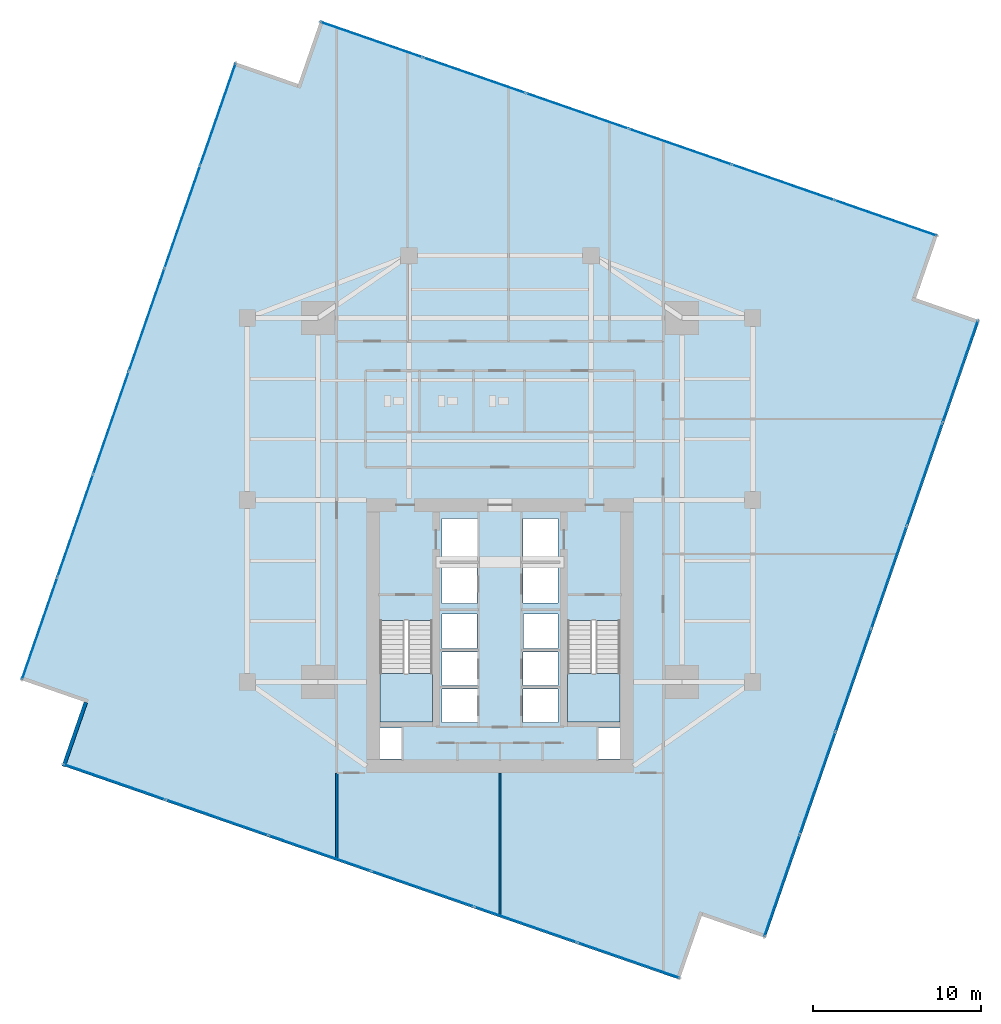
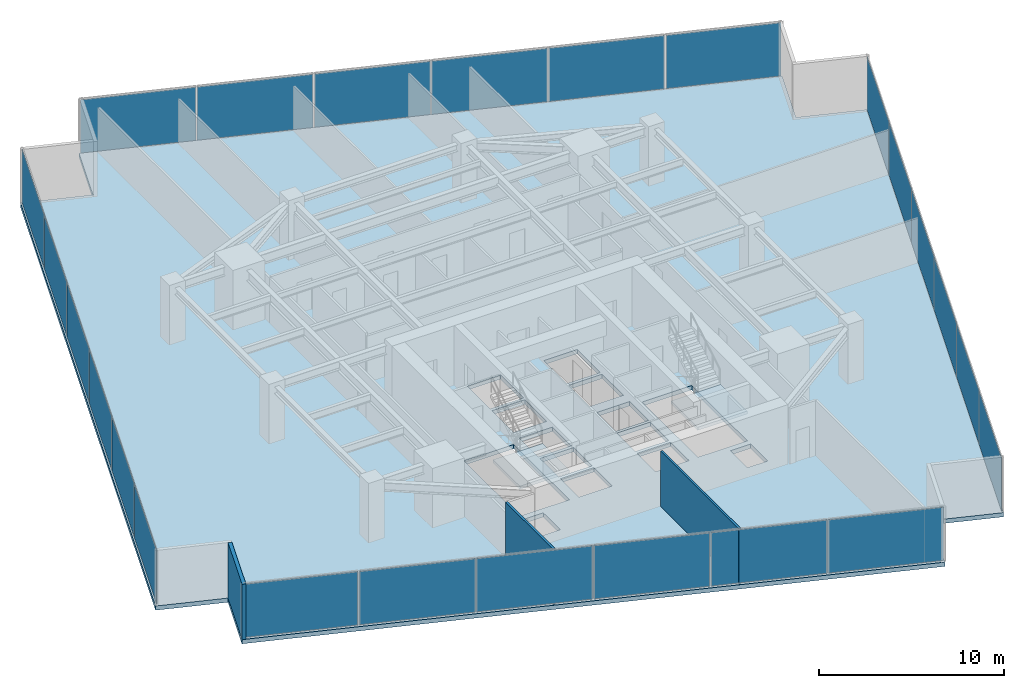
# One storey, part 22 of 27: 24 plates, 3 slabs, 3 walls, 6 elements without a shape of their own.
"""IFC4 building model written with IfcOpenShell, lengths in metres."""

import ifcopenshell
import ifcopenshell.guid

model = None  # the IFC model being written
_history = None  # IfcOwnerHistory: only IFC2X3 demands one
_inside = {}  # id of a spatial element -> (the spatial element, [elements in it])
_under = {}  # id of a project, library or spatial element -> (it, [spatial elements below it])
_declared = {}  # id of a project -> (the project, [libraries it declares])
_typed = {}  # id of a type object -> (the type object, [elements of that type])
_made_of = {}  # id of a material, layer set ... -> (it, [elements and type objects made of it])


def new_model(schema):
    """Start an empty IFC model of exactly this schema.

    Asked for "IFC4X3", IfcOpenShell would pick the latest addendum, in which some entities
    have other attributes; the version numbers below select the first issue.
    IFC2X3 requires an IfcOwnerHistory on every rooted entity: one is made here for all.
    """
    global model, _history
    if schema == "IFC4X3":
        model = ifcopenshell.file(schema_version=(4, 3, 0, 0))
    else:
        model = ifcopenshell.file(schema=schema)
    _inside.clear()
    _under.clear()
    _declared.clear()
    _typed.clear()
    _made_of.clear()
    _history = None
    if model.schema == "IFC2X3":
        org = make("IfcOrganization", Name="unknown")
        user = make(
            "IfcPersonAndOrganization",
            ThePerson=make("IfcPerson", FamilyName="unknown"),
            TheOrganization=org,
        )
        app = make(
            "IfcApplication",
            ApplicationDeveloper=org,
            Version="unknown",
            ApplicationFullName="unknown",
            ApplicationIdentifier="unknown",
        )
        _history = make(
            "IfcOwnerHistory",
            OwningUser=user,
            OwningApplication=app,
            ChangeAction="ADDED",
            CreationDate=0,
        )
    return model


def make(cls, **values):
    """One entity of the class cls with the attributes given. An attribute that is None is left unset."""
    return model.create_entity(
        cls, **{name: value for name, value in values.items() if value is not None}
    )


def rooted(cls, **values):
    """An entity with a GlobalId (a new one), such as an element, a storey or a relation."""
    return make(cls, GlobalId=ifcopenshell.guid.new(), OwnerHistory=_history, **values)


def si_unit(unit_type, name, prefix=None):
    """IfcSIUnit, for example si_unit("LENGTHUNIT", "METRE", prefix="MILLI")."""
    return make("IfcSIUnit", UnitType=unit_type, Prefix=prefix, Name=name)


def assignment(units):
    """IfcUnitAssignment: the units of a project."""
    return None if units is None else make("IfcUnitAssignment", Units=units)


def point(xyz):
    """IfcCartesianPoint."""
    return None if xyz is None else make("IfcCartesianPoint", Coordinates=xyz)


def direction(xyz):
    """IfcDirection."""
    return None if xyz is None else make("IfcDirection", DirectionRatios=xyz)


def frame(location, z_axis=None, x_axis=None):
    """IfcAxis2Placement3D, a coordinate frame: its origin and axes. An axis left out is left unset."""
    return make(
        "IfcAxis2Placement3D",
        Location=point(location),
        Axis=direction(z_axis),
        RefDirection=direction(x_axis),
    )


def frame_2d(location, x_axis=None):
    """IfcAxis2Placement2D, a coordinate frame in the plane: its origin and x axis."""
    return make(
        "IfcAxis2Placement2D", Location=point(location), RefDirection=direction(x_axis)
    )


def origin():
    """The frame at (0, 0, 0) with its axes left unset."""
    return frame((0.0, 0.0, 0.0))


def origin_2d():
    """The frame at (0, 0) in the plane with its x axis left unset."""
    return frame_2d((0.0, 0.0))


def place(relative_to, where):
    """IfcLocalPlacement: puts the frame where relative to a parent placement (None: the world)."""
    return make(
        "IfcLocalPlacement", PlacementRelTo=relative_to, RelativePlacement=where
    )


def context(
    kind, dimensions, precision=None, world=None, true_north=None, identifier=None
):
    """IfcGeometricRepresentationContext, for example the 3D "Model" context."""
    return make(
        "IfcGeometricRepresentationContext",
        ContextIdentifier=identifier,
        ContextType=kind,
        CoordinateSpaceDimension=dimensions,
        Precision=precision,
        WorldCoordinateSystem=world,
        TrueNorth=true_north,
    )


def subcontext(parent, identifier, kind, view, scale=None):
    """IfcGeometricRepresentationSubContext, for example "Body" below "Model"."""
    return make(
        "IfcGeometricRepresentationSubContext",
        ContextIdentifier=identifier,
        ContextType=kind,
        ParentContext=parent,
        TargetScale=scale,
        TargetView=view,
    )


def project(units=None, contexts=None):
    """IfcProject with its units and contexts."""
    return rooted(
        "IfcProject",
        Name="project",
        RepresentationContexts=contexts,
        UnitsInContext=assignment(units),
    )


def spatial(cls, under=None, at=None, **own):
    """A site, building, storey or space (cls), placed at a placement, below another one or the project."""
    s = rooted(cls, ObjectPlacement=at, **own)
    if under is not None:
        _under.setdefault(under.id(), (under, []))[1].append(s)
    return s


def polyline(points):
    """IfcPolyline through the points."""
    return make("IfcPolyline", Points=[point(p) for p in points])


def profile(cls, at=None, kind="AREA", **sizes):
    """A parametric profile (cls). Its sizes go by their IFC names, for example OverallWidth=200.0."""
    return make(cls, ProfileType=kind, Position=at, **sizes)


def rectangle(**sizes):
    """IfcRectangleProfileDef."""
    return profile("IfcRectangleProfileDef", **sizes)


def outline(outer, holes=None, kind="AREA"):
    """IfcArbitraryClosedProfileDef: a profile drawn as a closed curve; with holes, ...WithVoids."""
    if holes is None:
        return make("IfcArbitraryClosedProfileDef", ProfileType=kind, OuterCurve=outer)
    return make(
        "IfcArbitraryProfileDefWithVoids",
        ProfileType=kind,
        OuterCurve=outer,
        InnerCurves=holes,
    )


def extrude(swept, where, along, depth):
    """IfcExtrudedAreaSolid: the profile swept, set in the frame where, extruded along a direction by depth."""
    return make(
        "IfcExtrudedAreaSolid",
        SweptArea=swept,
        Position=where,
        ExtrudedDirection=direction(along),
        Depth=depth,
    )


def shape(context_of_items, identifier, shape_type, items):
    """IfcShapeRepresentation: the items that make up one representation, for example the "Body"."""
    return make(
        "IfcShapeRepresentation",
        ContextOfItems=context_of_items,
        RepresentationIdentifier=identifier,
        RepresentationType=shape_type,
        Items=items,
    )


def source(mapping_origin, context_of_items, identifier, shape_type, items):
    """IfcRepresentationMap: a shape defined once, which mapped items show again and again."""
    return make(
        "IfcRepresentationMap",
        MappingOrigin=mapping_origin,
        MappedRepresentation=shape(context_of_items, identifier, shape_type, items),
    )


def transform(
    local_origin,
    x_axis=None,
    y_axis=None,
    z_axis=None,
    scale=None,
    scale2=None,
    scale3=None,
    uniform=True,
):
    """IfcCartesianTransformationOperator3D, or its non-uniform kind. x_axis, y_axis, z_axis: its Axis1, 2, 3."""
    if uniform:
        return make(
            "IfcCartesianTransformationOperator3D",
            Axis1=direction(x_axis),
            Axis2=direction(y_axis),
            LocalOrigin=point(local_origin),
            Scale=scale,
            Axis3=direction(z_axis),
        )
    return make(
        "IfcCartesianTransformationOperator3DnonUniform",
        Axis1=direction(x_axis),
        Axis2=direction(y_axis),
        LocalOrigin=point(local_origin),
        Scale=scale,
        Axis3=direction(z_axis),
        Scale2=scale2,
        Scale3=scale3,
    )


def mapped(mapping_source, mapping_target):
    """IfcMappedItem: shows the shape of a source again, moved by a transform."""
    return make(
        "IfcMappedItem", MappingSource=mapping_source, MappingTarget=mapping_target
    )


def material(Name=None, Category=None):
    """IfcMaterial."""
    return make("IfcMaterial", Name=Name, Category=Category)


def layer(
    of_material, thickness, ventilated=None, Name=None, Category=None, Priority=None
):
    """IfcMaterialLayer: one layer of a wall or slab, of a material (None: an air gap)."""
    return make(
        "IfcMaterialLayer",
        Material=of_material,
        LayerThickness=thickness,
        IsVentilated=ventilated,
        Name=Name,
        Category=Category,
        Priority=Priority,
    )


def layer_set(layers, Name=None):
    """IfcMaterialLayerSet."""
    return make("IfcMaterialLayerSet", MaterialLayers=layers, LayerSetName=Name)


def made_of(thing, what):
    """Note that an element or type object is made of a material, layer set ...; save() writes the relation."""
    if what is not None:
        _made_of.setdefault(what.id(), (what, []))[1].append(thing)
    return thing


def type_object(cls, material=None, **own):
    """A type object (cls), such as IfcWallType, which elements share."""
    return made_of(rooted(cls, **own), material)


def type_shapes(of_type, sources):
    """Give a type object the sources (RepresentationMaps) that its elements show as mapped items."""
    of_type.RepresentationMaps = sources


def element(
    cls,
    number,
    at=None,
    inside=None,
    cuts=None,
    type_object=None,
    material=None,
    context=None,
    identifier="Body",
    shape_type=None,
    held_by="IfcProductDefinitionShape",
    body=None,
    shapes=None,
    **own,
):
    """One element of the class cls, such as IfcWall. Its Tag is "e" and its number.

    at: its placement. inside: the storey or other place that contains it. cuts: it is an
    opening in that element (IfcRelVoidsElement). A single representation is given by context,
    identifier, shape_type and body (its items); several are given by shapes. held_by: the class
    of the entity that holds the representations. save() writes the other relations.
    """
    e = rooted(cls, Tag="e%d" % number, ObjectPlacement=at, **own)
    if body is not None:
        shapes = [shape(context, identifier, shape_type, body)]
    if shapes is not None:
        e.Representation = make(held_by, Representations=shapes)
    if inside is not None:
        _inside.setdefault(inside.id(), (inside, []))[1].append(e)
    if cuts is not None:
        rooted(
            "IfcRelVoidsElement", RelatingBuildingElement=cuts, RelatedOpeningElement=e
        )
    if type_object is not None:
        _typed.setdefault(type_object.id(), (type_object, []))[1].append(e)
    return made_of(e, material)


def aggregate(whole, parts):
    """IfcRelAggregates: a whole, such as a stair, and the parts it consists of."""
    return rooted("IfcRelAggregates", RelatingObject=whole, RelatedObjects=parts)


def save(model, path):
    """Write the relations noted so far, then the file.

    IfcRelAggregates (storeys below a building ...), IfcRelContainedInSpatialStructure (elements
    in a storey), IfcRelDefinesByType, IfcRelAssociatesMaterial and IfcRelDeclares: one each for
    every whole, place, type object, material and project.
    """
    for whole, parts in _under.values():
        aggregate(whole, parts)
    for where, things in _inside.values():
        rooted(
            "IfcRelContainedInSpatialStructure",
            RelatedElements=things,
            RelatingStructure=where,
        )
    for kind, things in _typed.values():
        rooted("IfcRelDefinesByType", RelatedObjects=things, RelatingType=kind)
    for what, things in _made_of.values():
        rooted("IfcRelAssociatesMaterial", RelatedObjects=things, RelatingMaterial=what)
    for by, libraries in _declared.values():
        rooted("IfcRelDeclares", RelatingContext=by, RelatedDefinitions=libraries)
    model.write(path)


model = new_model("IFC4")

# Units and contexts
model_context = context("Model", 3, precision=1e-05, world=origin(), true_north=direction((0.0, 1.0)))
body_context = subcontext(model_context, "Body", "Model", "MODEL_VIEW")
ifc_project = project(units=[si_unit("LENGTHUNIT", "METRE"), si_unit("AREAUNIT", "SQUARE_METRE"), si_unit("VOLUMEUNIT", "CUBIC_METRE"), si_unit("PLANEANGLEUNIT", "RADIAN"), si_unit("MASSUNIT", "GRAM", prefix="KILO")], contexts=[model_context])

# Site, building, storey
site_placement = place(None, origin())
site = spatial("IfcSite", under=ifc_project, at=site_placement, CompositionType="ELEMENT")
building_placement = place(site_placement, origin())
building = spatial("IfcBuilding", under=site, at=building_placement, Name="Krantzveldt Concourse Tower", CompositionType="ELEMENT")
storey_placement = place(building_placement, frame((0.0, 0.0, 121.64990234375)))
storey = spatial("IfcBuildingStorey", under=building, at=storey_placement, Name="L29", CompositionType="ELEMENT", Elevation=121.64990234375)

# Stair, slab
ifc_material_1 = material(Name="Precast concrete C40/50", Category="concrete")
stair_type = type_object("IfcStairType", Name="STR-CORE-DOGLEG", PredefinedType="HALF_TURN_STAIR", material=ifc_material_1)
stair_1_placement = place(storey_placement, origin())
stair_1 = element("IfcStair", 1, at=stair_1_placement, inside=storey, type_object=stair_type, Name="L29 Protected Escape Stair ST-1", PredefinedType="HALF_TURN_STAIR")
ifc_layer_1 = layer(ifc_material_1, 0.199951171875, Name="Precast concrete C40/50", Category="concrete")
ifc_layer_set_1 = layer_set([ifc_layer_1], Name="Precast concrete C40/50 (SL-LANDING-200)")
slab_type_1 = type_object("IfcSlabType", Name="SL-LANDING-200", PredefinedType="LANDING", material=ifc_layer_set_1)
slab_1_placement = place(storey_placement, frame((0.0, 0.0, 1.775146484375)))
slab_1 = element("IfcSlab", 2, at=slab_1_placement, type_object=slab_type_1, Name="ST-1 landing 1", PredefinedType="LANDING", context=body_context, shape_type="SweptSolid", body=[
    extrude(outline(polyline([(28.8798828125, 16.4150390625), (28.8798828125, 13.52001953125), (31.97998046875, 13.52001953125), (31.97998046875, 16.4150390625), (28.8798828125, 16.4150390625)])), origin(), (0.0, 0.0, 1.0), 0.199951171875),
])
aggregate(stair_1, [slab_1])

stair_2_placement = place(storey_placement, origin())
stair_2 = element("IfcStair", 3, at=stair_2_placement, inside=storey, type_object=stair_type, Name="L29 Protected Escape Stair ST-2", PredefinedType="HALF_TURN_STAIR")
slab_2_placement = place(storey_placement, frame((0.0, 0.0, 1.775146484375)))
slab_2 = element("IfcSlab", 4, at=slab_2_placement, type_object=slab_type_1, Name="ST-2 landing 1", PredefinedType="LANDING", context=body_context, shape_type="SweptSolid", body=[
    extrude(outline(polyline([(40.02001953125, 16.4150390625), (40.02001953125, 13.52001953125), (43.1201171875, 13.52001953125), (43.1201171875, 16.4150390625), (40.02001953125, 16.4150390625)])), origin(), (0.0, 0.0, 1.0), 0.199951171875),
])
aggregate(stair_2, [slab_2])

# Slab
ifc_material_2 = material(Name="Concrete C40/50", Category="concrete")
ifc_layer_2 = layer(ifc_material_2, 0.280029296875, Name="Concrete C40/50", Category="concrete")
ifc_layer_set_2 = layer_set([ifc_layer_2], Name="Concrete C40/50 (SL-SL-TWR280)")
slab_type_2 = type_object("IfcSlabType", Name="SL-SL-TWR280", PredefinedType="FLOOR", material=ifc_layer_set_2)
slab_3_placement = place(storey_placement, frame((0.0, 0.0, -0.27978515625)))
element("IfcSlab", 5, at=slab_3_placement, inside=storey, type_object=slab_type_2, Name="SL-L29-MAIN", PredefinedType="FLOOR", context=body_context, shape_type="SweptSolid", body=[
    extrude(outline(polyline([(24.02685546875, 51.38525390625), (20.24755859375, 52.69580078125), (7.535400390625, 16.037353515625), (11.314697265625, 14.726806640625), (10.004150390625, 10.947509765625), (46.66259765625, -1.764404296875), (47.97314453125, 2.0146484375), (51.75244140625, 0.7041015625), (64.464599609375, 37.36279296875), (60.685302734375, 38.673095703125), (61.995849609375, 42.452392578125), (25.33740234375, 55.16455078125), (24.02685546875, 51.38525390625)]), holes=[polyline([(28.8798828125, 19.547607421875), (28.8798828125, 13.52001953125), (31.97998046875, 13.52001953125), (31.97998046875, 19.547607421875), (28.8798828125, 19.547607421875)]), polyline([(40.02001953125, 19.547607421875), (40.02001953125, 13.52001953125), (43.1201171875, 13.52001953125), (43.1201171875, 19.547607421875), (40.02001953125, 19.547607421875)]), polyline([(32.550048828125, 23.10009765625), (34.64990234375, 23.10009765625), (34.64990234375, 25.60009765625), (32.550048828125, 25.60009765625), (32.550048828125, 23.10009765625)]), polyline([(37.35009765625, 23.10009765625), (39.449951171875, 23.10009765625), (39.449951171875, 25.60009765625), (37.35009765625, 25.60009765625), (37.35009765625, 23.10009765625)]), polyline([(37.35009765625, 20.60009765625), (39.449951171875, 20.60009765625), (39.449951171875, 22.89990234375), (37.35009765625, 22.89990234375), (37.35009765625, 20.60009765625)]), polyline([(32.550048828125, 13.47998046875), (34.64990234375, 13.47998046875), (34.64990234375, 15.47998046875), (32.550048828125, 15.47998046875), (32.550048828125, 13.47998046875)]), polyline([(32.550048828125, 15.679931640625), (34.64990234375, 15.679931640625), (34.64990234375, 17.679931640625), (32.550048828125, 17.679931640625), (32.550048828125, 15.679931640625)]), polyline([(37.35009765625, 13.47998046875), (39.449951171875, 13.47998046875), (39.449951171875, 15.47998046875), (37.35009765625, 15.47998046875), (37.35009765625, 13.47998046875)]), polyline([(37.35009765625, 15.679931640625), (39.449951171875, 15.679931640625), (39.449951171875, 17.679931640625), (37.35009765625, 17.679931640625), (37.35009765625, 15.679931640625)]), polyline([(32.550048828125, 20.550048828125), (34.6201171875, 20.550048828125), (34.6201171875, 22.89990234375), (32.550048828125, 22.89990234375), (32.550048828125, 20.550048828125)]), polyline([(32.550048828125, 17.8798828125), (34.6201171875, 17.8798828125), (34.6201171875, 19.919921875), (32.550048828125, 19.919921875), (32.550048828125, 17.8798828125)]), polyline([(37.3798828125, 17.8798828125), (39.449951171875, 17.8798828125), (39.449951171875, 19.919921875), (37.3798828125, 19.919921875), (37.3798828125, 17.8798828125)]), polyline([(28.8798828125, 11.320068359375), (30.139892578125, 11.320068359375), (30.139892578125, 13.159912109375), (28.8798828125, 13.159912109375), (28.8798828125, 11.320068359375)]), polyline([(41.860107421875, 11.320068359375), (43.1201171875, 11.320068359375), (43.1201171875, 13.159912109375), (41.860107421875, 13.159912109375), (41.860107421875, 11.320068359375)])]), origin(), (0.0, 0.0, 1.0), 0.27978515625),
])

# Curtain wall, plates
ifc_material_3 = material(Name="Anodised aluminium 6063-T6", Category="aluminium")
curtain_wall_type = type_object("IfcCurtainWallType", Name="CW2", PredefinedType="USERDEFINED", material=ifc_material_3)
curtain_wall_1_placement = place(storey_placement, origin())
curtain_wall_1 = element("IfcCurtainWall", 6, at=curtain_wall_1_placement, inside=storey, type_object=curtain_wall_type, Name="CW-L29-F01", ObjectType="UNITISED CURTAIN WALL", PredefinedType="USERDEFINED")
ifc_material_4 = material(Name="Bronze-tinted laminated low-E IGU glass", Category="glass")
ifc_layer_3 = layer(ifc_material_4, 0.031982421875, Name="Bronze-tinted laminated low-E IGU glass", Category="glass")
ifc_layer_set_3 = layer_set([ifc_layer_3], Name="Bronze-tinted laminated low-E IGU glass (CW-GLZ-32)")
plate_type = type_object("IfcPlateType", Name="CW-GLZ-32", PredefinedType="CURTAIN_PANEL", material=ifc_layer_set_3)
shared_shape_1 = source(origin(), body_context, "Body", "SweptSolid", [
    extrude(rectangle(XDim=6.361572265625, YDim=0.031982421875, at=origin_2d()), origin(), (0.0, 0.0, 1.0), 3.530029296875),
])
plate_1_placement = place(storey_placement, frame((19.267578125, 49.594970703125, 0.0703125), z_axis=(0.0, 0.0, 1.0), x_axis=(-0.32763019404, -0.944806041446, 0.0)))
plate_1 = element("IfcPlate", 7, at=plate_1_placement, type_object=plate_type, Name="CW-Z12 panel 1.1", PredefinedType="CURTAIN_PANEL", context=body_context, shape_type="MappedRepresentation", body=[
    mapped(shared_shape_1, transform((0.0, 0.0, 0.0), x_axis=(1.0, 0.0, 0.0), y_axis=(0.0, 1.0, 0.0), z_axis=(0.0, 0.0, 1.0), scale=1.0)),
])
plate_2_placement = place(storey_placement, frame((8.685546875, 19.079345703125, 0.0703125), z_axis=(0.0, 0.0, 1.0), x_axis=(-0.32763019404, -0.944806041446, 0.0)))
plate_2 = element("IfcPlate", 8, at=plate_2_placement, type_object=plate_type, Name="CW-Z12 panel 6.1", PredefinedType="CURTAIN_PANEL", context=body_context, shape_type="MappedRepresentation", body=[
    mapped(shared_shape_1, transform((0.0, 0.0, 0.0), x_axis=(1.0, 0.0, 0.0), y_axis=(0.0, 1.0, 0.0), z_axis=(0.0, 0.0, 1.0), scale=1.0)),
])

curtain_wall_2_placement = place(storey_placement, origin())
curtain_wall_2 = element("IfcCurtainWall", 9, at=curtain_wall_2_placement, inside=storey, type_object=curtain_wall_type, Name="CW-L29-F04", ObjectType="UNITISED CURTAIN WALL", PredefinedType="USERDEFINED")
plate_3_placement = place(storey_placement, frame((13.105224609375, 9.967529296875, 0.0703125), z_axis=(0.0, 0.0, 1.0), x_axis=(0.944806041446, -0.32763019404, 0.0)))
plate_3 = element("IfcPlate", 10, at=plate_3_placement, type_object=plate_type, Name="CW-Z12 panel 1.1", PredefinedType="CURTAIN_PANEL", context=body_context, shape_type="MappedRepresentation", body=[
    mapped(shared_shape_1, transform((0.0, 0.0, 0.0), x_axis=(1.0, 0.0, 0.0), y_axis=(0.0, 1.0, 0.0), z_axis=(0.0, 0.0, 1.0), scale=1.0)),
])
plate_4_placement = place(storey_placement, frame((43.620849609375, -0.614501953125, 0.0703125), z_axis=(0.0, 0.0, 1.0), x_axis=(0.944806041446, -0.32763019404, 0.0)))
plate_4 = element("IfcPlate", 11, at=plate_4_placement, type_object=plate_type, Name="CW-Z12 panel 6.1", PredefinedType="CURTAIN_PANEL", context=body_context, shape_type="MappedRepresentation", body=[
    mapped(shared_shape_1, transform((0.0, 0.0, 0.0), x_axis=(1.0, 0.0, 0.0), y_axis=(0.0, 1.0, 0.0), z_axis=(0.0, 0.0, 1.0), scale=1.0)),
])

curtain_wall_3_placement = place(storey_placement, origin())
curtain_wall_3 = element("IfcCurtainWall", 12, at=curtain_wall_3_placement, inside=storey, type_object=curtain_wall_type, Name="CW-L29-F07", ObjectType="UNITISED CURTAIN WALL", PredefinedType="USERDEFINED")
plate_5_placement = place(storey_placement, frame((52.732421875, 3.80517578125, 0.0703125), z_axis=(0.0, 0.0, 1.0), x_axis=(0.32763019404, 0.944806041446, 0.0)))
plate_5 = element("IfcPlate", 13, at=plate_5_placement, type_object=plate_type, Name="CW-Z12 panel 1.1", PredefinedType="CURTAIN_PANEL", context=body_context, shape_type="MappedRepresentation", body=[
    mapped(shared_shape_1, transform((0.0, 0.0, 0.0), x_axis=(1.0, 0.0, 0.0), y_axis=(0.0, 1.0, 0.0), z_axis=(0.0, 0.0, 1.0), scale=1.0)),
])
plate_6_placement = place(storey_placement, frame((63.314453125, 34.32080078125, 0.0703125), z_axis=(0.0, 0.0, 1.0), x_axis=(0.32763019404, 0.944806041446, 0.0)))
plate_6 = element("IfcPlate", 14, at=plate_6_placement, type_object=plate_type, Name="CW-Z12 panel 6.1", PredefinedType="CURTAIN_PANEL", context=body_context, shape_type="MappedRepresentation", body=[
    mapped(shared_shape_1, transform((0.0, 0.0, 0.0), x_axis=(1.0, 0.0, 0.0), y_axis=(0.0, 1.0, 0.0), z_axis=(0.0, 0.0, 1.0), scale=1.0)),
])

curtain_wall_4_placement = place(storey_placement, origin())
curtain_wall_4 = element("IfcCurtainWall", 15, at=curtain_wall_4_placement, inside=storey, type_object=curtain_wall_type, Name="CW-L29-F10", ObjectType="UNITISED CURTAIN WALL", PredefinedType="USERDEFINED")
plate_7_placement = place(storey_placement, frame((58.894775390625, 43.432373046875, 0.0703125), z_axis=(0.0, 0.0, 1.0), x_axis=(-0.944806041446, 0.32763019404, 0.0)))
plate_7 = element("IfcPlate", 16, at=plate_7_placement, type_object=plate_type, Name="CW-Z12 panel 1.1", PredefinedType="CURTAIN_PANEL", context=body_context, shape_type="MappedRepresentation", body=[
    mapped(shared_shape_1, transform((0.0, 0.0, 0.0), x_axis=(1.0, 0.0, 0.0), y_axis=(0.0, 1.0, 0.0), z_axis=(0.0, 0.0, 1.0), scale=1.0)),
])
plate_8_placement = place(storey_placement, frame((28.379150390625, 54.014404296875, 0.0703125), z_axis=(0.0, 0.0, 1.0), x_axis=(-0.944806041446, 0.32763019404, 0.0)))
plate_8 = element("IfcPlate", 17, at=plate_8_placement, type_object=plate_type, Name="CW-Z12 panel 6.1", PredefinedType="CURTAIN_PANEL", context=body_context, shape_type="MappedRepresentation", body=[
    mapped(shared_shape_1, transform((0.0, 0.0, 0.0), x_axis=(1.0, 0.0, 0.0), y_axis=(0.0, 1.0, 0.0), z_axis=(0.0, 0.0, 1.0), scale=1.0)),
])

# Plate
shared_shape_2 = source(origin(), body_context, "Body", "SweptSolid", [
    extrude(rectangle(XDim=6.396728515625, YDim=0.031982421875, at=origin_2d()), origin(), (0.0, 0.0, 1.0), 3.530029296875),
])
type_shapes(plate_type, [shared_shape_1, shared_shape_2])
plate_9_placement = place(storey_placement, frame((17.154541015625, 43.501708984375, 0.0703125), z_axis=(0.0, 0.0, 1.0), x_axis=(-0.32763019404, -0.944806041446, 0.0)))
plate_9 = element("IfcPlate", 18, at=plate_9_placement, type_object=plate_type, Name="CW-Z12 panel 2.1", PredefinedType="CURTAIN_PANEL", context=body_context, shape_type="MappedRepresentation", body=[
    mapped(shared_shape_2, transform((0.0, 0.0, 0.0), x_axis=(1.0, 0.0, 0.0), y_axis=(0.0, 1.0, 0.0), z_axis=(0.0, 0.0, 1.0), scale=1.0)),
])

plate_10_placement = place(storey_placement, frame((15.035888671875, 37.391845703125, 0.0703125), z_axis=(0.0, 0.0, 1.0), x_axis=(-0.32763019404, -0.944806041446, 0.0)))
plate_10 = element("IfcPlate", 19, at=plate_10_placement, type_object=plate_type, Name="CW-Z12 panel 3.1", PredefinedType="CURTAIN_PANEL", context=body_context, shape_type="MappedRepresentation", body=[
    mapped(shared_shape_2, transform((0.0, 0.0, 0.0), x_axis=(1.0, 0.0, 0.0), y_axis=(0.0, 1.0, 0.0), z_axis=(0.0, 0.0, 1.0), scale=1.0)),
])

plate_11_placement = place(storey_placement, frame((12.917236328125, 31.2822265625, 0.0703125), z_axis=(0.0, 0.0, 1.0), x_axis=(-0.32763019404, -0.944806041446, 0.0)))
plate_11 = element("IfcPlate", 20, at=plate_11_placement, type_object=plate_type, Name="CW-Z12 panel 4.1", PredefinedType="CURTAIN_PANEL", context=body_context, shape_type="MappedRepresentation", body=[
    mapped(shared_shape_2, transform((0.0, 0.0, 0.0), x_axis=(1.0, 0.0, 0.0), y_axis=(0.0, 1.0, 0.0), z_axis=(0.0, 0.0, 1.0), scale=1.0)),
])

plate_12_placement = place(storey_placement, frame((10.798583984375, 25.17236328125, 0.0703125), z_axis=(0.0, 0.0, 1.0), x_axis=(-0.32763019404, -0.944806041446, 0.0)))
plate_12 = element("IfcPlate", 21, at=plate_12_placement, type_object=plate_type, Name="CW-Z12 panel 5.1", PredefinedType="CURTAIN_PANEL", context=body_context, shape_type="MappedRepresentation", body=[
    mapped(shared_shape_2, transform((0.0, 0.0, 0.0), x_axis=(1.0, 0.0, 0.0), y_axis=(0.0, 1.0, 0.0), z_axis=(0.0, 0.0, 1.0), scale=1.0)),
])

aggregate(curtain_wall_1, [plate_1, plate_9, plate_10, plate_11, plate_12, plate_2])

plate_13_placement = place(storey_placement, frame((19.1982421875, 7.8544921875, 0.0703125), z_axis=(0.0, 0.0, 1.0), x_axis=(0.944806041446, -0.32763019404, 0.0)))
plate_13 = element("IfcPlate", 22, at=plate_13_placement, type_object=plate_type, Name="CW-Z12 panel 2.1", PredefinedType="CURTAIN_PANEL", context=body_context, shape_type="MappedRepresentation", body=[
    mapped(shared_shape_2, transform((0.0, 0.0, 0.0), x_axis=(1.0, 0.0, 0.0), y_axis=(0.0, 1.0, 0.0), z_axis=(0.0, 0.0, 1.0), scale=1.0)),
])

plate_14_placement = place(storey_placement, frame((25.30810546875, 5.73583984375, 0.0703125), z_axis=(0.0, 0.0, 1.0), x_axis=(0.944806041446, -0.32763019404, 0.0)))
plate_14 = element("IfcPlate", 23, at=plate_14_placement, type_object=plate_type, Name="CW-Z12 panel 3.1", PredefinedType="CURTAIN_PANEL", context=body_context, shape_type="MappedRepresentation", body=[
    mapped(shared_shape_2, transform((0.0, 0.0, 0.0), x_axis=(1.0, 0.0, 0.0), y_axis=(0.0, 1.0, 0.0), z_axis=(0.0, 0.0, 1.0), scale=1.0)),
])

plate_15_placement = place(storey_placement, frame((31.417724609375, 3.6171875, 0.0703125), z_axis=(0.0, 0.0, 1.0), x_axis=(0.944806041446, -0.32763019404, 0.0)))
plate_15 = element("IfcPlate", 24, at=plate_15_placement, type_object=plate_type, Name="CW-Z12 panel 4.1", PredefinedType="CURTAIN_PANEL", context=body_context, shape_type="MappedRepresentation", body=[
    mapped(shared_shape_2, transform((0.0, 0.0, 0.0), x_axis=(1.0, 0.0, 0.0), y_axis=(0.0, 1.0, 0.0), z_axis=(0.0, 0.0, 1.0), scale=1.0)),
])

plate_16_placement = place(storey_placement, frame((37.527587890625, 1.49853515625, 0.0703125), z_axis=(0.0, 0.0, 1.0), x_axis=(0.944806041446, -0.32763019404, 0.0)))
plate_16 = element("IfcPlate", 25, at=plate_16_placement, type_object=plate_type, Name="CW-Z12 panel 5.1", PredefinedType="CURTAIN_PANEL", context=body_context, shape_type="MappedRepresentation", body=[
    mapped(shared_shape_2, transform((0.0, 0.0, 0.0), x_axis=(1.0, 0.0, 0.0), y_axis=(0.0, 1.0, 0.0), z_axis=(0.0, 0.0, 1.0), scale=1.0)),
])

aggregate(curtain_wall_2, [plate_3, plate_13, plate_14, plate_15, plate_16, plate_4])

plate_17_placement = place(storey_placement, frame((54.845458984375, 9.8984375, 0.0703125), z_axis=(0.0, 0.0, 1.0), x_axis=(0.32763019404, 0.944806041446, 0.0)))
plate_17 = element("IfcPlate", 26, at=plate_17_placement, type_object=plate_type, Name="CW-Z12 panel 2.1", PredefinedType="CURTAIN_PANEL", context=body_context, shape_type="MappedRepresentation", body=[
    mapped(shared_shape_2, transform((0.0, 0.0, 0.0), x_axis=(1.0, 0.0, 0.0), y_axis=(0.0, 1.0, 0.0), z_axis=(0.0, 0.0, 1.0), scale=1.0)),
])

plate_18_placement = place(storey_placement, frame((56.964111328125, 16.008056640625, 0.0703125), z_axis=(0.0, 0.0, 1.0), x_axis=(0.32763019404, 0.944806041446, 0.0)))
plate_18 = element("IfcPlate", 27, at=plate_18_placement, type_object=plate_type, Name="CW-Z12 panel 3.1", PredefinedType="CURTAIN_PANEL", context=body_context, shape_type="MappedRepresentation", body=[
    mapped(shared_shape_2, transform((0.0, 0.0, 0.0), x_axis=(1.0, 0.0, 0.0), y_axis=(0.0, 1.0, 0.0), z_axis=(0.0, 0.0, 1.0), scale=1.0)),
])

plate_19_placement = place(storey_placement, frame((59.082763671875, 22.117919921875, 0.0703125), z_axis=(0.0, 0.0, 1.0), x_axis=(0.32763019404, 0.944806041446, 0.0)))
plate_19 = element("IfcPlate", 28, at=plate_19_placement, type_object=plate_type, Name="CW-Z12 panel 4.1", PredefinedType="CURTAIN_PANEL", context=body_context, shape_type="MappedRepresentation", body=[
    mapped(shared_shape_2, transform((0.0, 0.0, 0.0), x_axis=(1.0, 0.0, 0.0), y_axis=(0.0, 1.0, 0.0), z_axis=(0.0, 0.0, 1.0), scale=1.0)),
])

plate_20_placement = place(storey_placement, frame((61.201416015625, 28.2275390625, 0.0703125), z_axis=(0.0, 0.0, 1.0), x_axis=(0.32763019404, 0.944806041446, 0.0)))
plate_20 = element("IfcPlate", 29, at=plate_20_placement, type_object=plate_type, Name="CW-Z12 panel 5.1", PredefinedType="CURTAIN_PANEL", context=body_context, shape_type="MappedRepresentation", body=[
    mapped(shared_shape_2, transform((0.0, 0.0, 0.0), x_axis=(1.0, 0.0, 0.0), y_axis=(0.0, 1.0, 0.0), z_axis=(0.0, 0.0, 1.0), scale=1.0)),
])

aggregate(curtain_wall_3, [plate_5, plate_17, plate_18, plate_19, plate_20, plate_6])

plate_21_placement = place(storey_placement, frame((52.8017578125, 45.54541015625, 0.0703125), z_axis=(0.0, 0.0, 1.0), x_axis=(-0.944806041446, 0.32763019404, 0.0)))
plate_21 = element("IfcPlate", 30, at=plate_21_placement, type_object=plate_type, Name="CW-Z12 panel 2.1", PredefinedType="CURTAIN_PANEL", context=body_context, shape_type="MappedRepresentation", body=[
    mapped(shared_shape_2, transform((0.0, 0.0, 0.0), x_axis=(1.0, 0.0, 0.0), y_axis=(0.0, 1.0, 0.0), z_axis=(0.0, 0.0, 1.0), scale=1.0)),
])

plate_22_placement = place(storey_placement, frame((46.69189453125, 47.6640625, 0.0703125), z_axis=(0.0, 0.0, 1.0), x_axis=(-0.944806041446, 0.32763019404, 0.0)))
plate_22 = element("IfcPlate", 31, at=plate_22_placement, type_object=plate_type, Name="CW-Z12 panel 3.1", PredefinedType="CURTAIN_PANEL", context=body_context, shape_type="MappedRepresentation", body=[
    mapped(shared_shape_2, transform((0.0, 0.0, 0.0), x_axis=(1.0, 0.0, 0.0), y_axis=(0.0, 1.0, 0.0), z_axis=(0.0, 0.0, 1.0), scale=1.0)),
])

plate_23_placement = place(storey_placement, frame((40.582275390625, 49.78271484375, 0.0703125), z_axis=(0.0, 0.0, 1.0), x_axis=(-0.944806041446, 0.32763019404, 0.0)))
plate_23 = element("IfcPlate", 32, at=plate_23_placement, type_object=plate_type, Name="CW-Z12 panel 4.1", PredefinedType="CURTAIN_PANEL", context=body_context, shape_type="MappedRepresentation", body=[
    mapped(shared_shape_2, transform((0.0, 0.0, 0.0), x_axis=(1.0, 0.0, 0.0), y_axis=(0.0, 1.0, 0.0), z_axis=(0.0, 0.0, 1.0), scale=1.0)),
])

plate_24_placement = place(storey_placement, frame((34.472412109375, 51.9013671875, 0.0703125), z_axis=(0.0, 0.0, 1.0), x_axis=(-0.944806041446, 0.32763019404, 0.0)))
plate_24 = element("IfcPlate", 33, at=plate_24_placement, type_object=plate_type, Name="CW-Z12 panel 5.1", PredefinedType="CURTAIN_PANEL", context=body_context, shape_type="MappedRepresentation", body=[
    mapped(shared_shape_2, transform((0.0, 0.0, 0.0), x_axis=(1.0, 0.0, 0.0), y_axis=(0.0, 1.0, 0.0), z_axis=(0.0, 0.0, 1.0), scale=1.0)),
])

aggregate(curtain_wall_4, [plate_7, plate_21, plate_22, plate_23, plate_24, plate_8])

# Walls
ifc_layer_4 = layer(ifc_material_3, 0.219970703125, Name="Anodised aluminium 6063-T6", Category="aluminium")
ifc_layer_set_4 = layer_set([ifc_layer_4], Name="Anodised aluminium 6063-T6 (WL-EXT-NOTCH220)")
wall_type_1 = type_object("IfcWallType", Name="WL-EXT-NOTCH220", PredefinedType="ELEMENTEDWALL", material=ifc_layer_set_4)
wall_1_placement = place(storey_placement, frame((11.418701171875, 14.690673828125, 0.0), z_axis=(0.0, 0.0, 1.0), x_axis=(-0.327668839181, -0.944792639593, 0.0)))
element("IfcWall", 34, at=wall_1_placement, inside=storey, type_object=wall_type_1, Name="EW-L29-NCH03", PredefinedType="ELEMENTEDWALL", context=body_context, shape_type="SweptSolid", body=[
    extrude(rectangle(XDim=4.02490234375, YDim=0.219970703125, at=frame_2d((2.012451171875, 0.0))), origin(), (0.0, 0.0, 1.0), 3.670166015625),
])
ifc_material_5 = material(Name="Fire-rated gypsum plasterboard on steel stud", Category="steel")
ifc_layer_5 = layer(ifc_material_5, 0.1201171875, Name="Fire-rated gypsum plasterboard on steel stud", Category="steel")
ifc_layer_set_5 = layer_set([ifc_layer_5], Name="Fire-rated gypsum plasterboard on steel stud (WL-PART-120)")
wall_type_2 = type_object("IfcWallType", Name="WL-PART-120", PredefinedType="PARTITIONING", material=ifc_layer_set_5)
wall_2_placement = place(storey_placement, frame((36.0, 2.0283203125, 0.0), z_axis=(0.0, 0.0, 1.0), x_axis=(0.0, 1.0, 0.0)))
element("IfcWall", 35, at=wall_2_placement, inside=storey, type_object=wall_type_2, Name="WP-L29-SMD", PredefinedType="PARTITIONING", context=body_context, shape_type="SweptSolid", body=[
    extrude(rectangle(XDim=8.4716796875, YDim=0.1201171875, at=frame_2d((4.23583984375, 0.0))), origin(), (0.0, 0.0, 1.0), 3.670166015625),
])
ifc_layer_6 = layer(ifc_material_5, 0.139892578125, Name="Fire-rated gypsum plasterboard on steel stud", Category="steel")
ifc_layer_set_6 = layer_set([ifc_layer_6], Name="Fire-rated gypsum plasterboard on steel stud (WL-PART-140)")
wall_type_3 = type_object("IfcWallType", Name="WL-PART-140", PredefinedType="PARTITIONING", material=ifc_layer_set_6)
wall_3_placement = place(storey_placement, frame((26.320068359375, 5.385009765625, 0.0), z_axis=(0.0, 0.0, 1.0), x_axis=(0.0, 1.0, 0.0)))
element("IfcWall", 36, at=wall_3_placement, inside=storey, type_object=wall_type_3, Name="WP-L29-SWL", PredefinedType="PARTITIONING", context=body_context, shape_type="SweptSolid", body=[
    extrude(rectangle(XDim=5.114990234375, YDim=0.139892578125, at=frame_2d((2.5576171875, 0.0))), origin(), (0.0, 0.0, 1.0), 3.670166015625),
])

save(model, "model.ifc")
